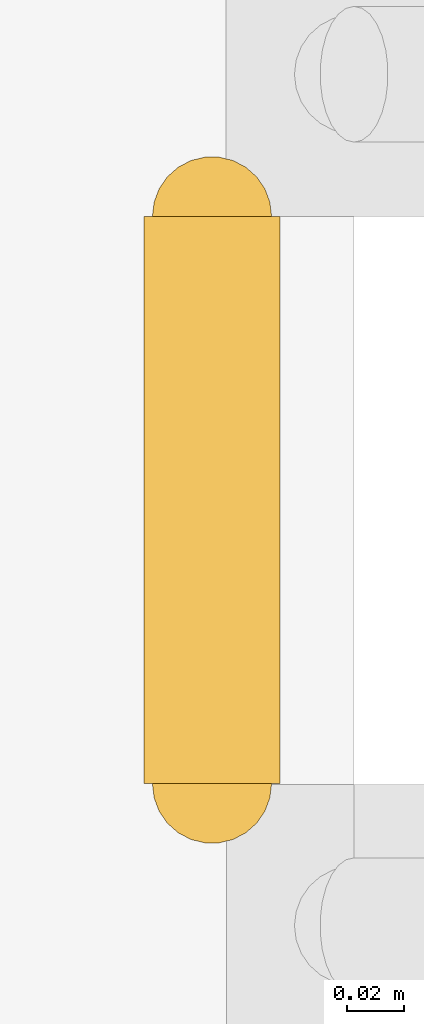
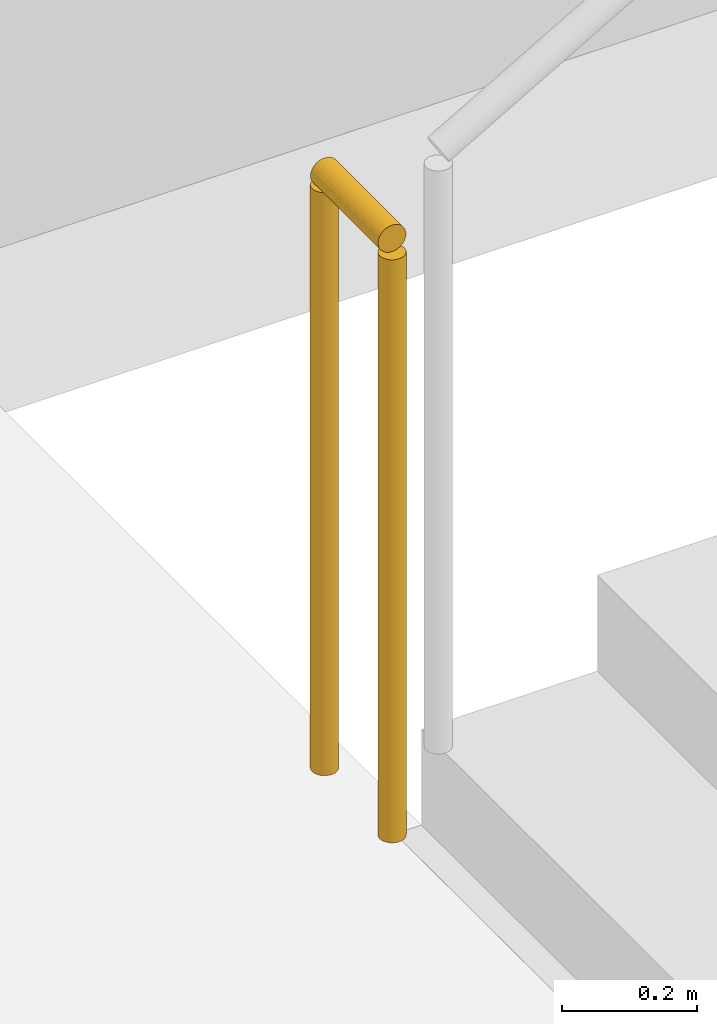
# One storey, part 156 of 164: 1 railing.
"""IFC4 building model written with IfcOpenShell, lengths in metres."""

from ifc_helpers import new_model, si_unit, direction, frame, origin, origin_2d, place, context, subcontext, project, spatial, circle, extrude, material, type_object, element, save


model = new_model("IFC4")

# Units and contexts
model_context = context("Model", 3, precision=1e-05, world=origin(), true_north=direction((0.0, 1.0)))
body_context = subcontext(model_context, "Body", "Model", "MODEL_VIEW")
ifc_project = project(units=[si_unit("LENGTHUNIT", "METRE"), si_unit("AREAUNIT", "SQUARE_METRE"), si_unit("VOLUMEUNIT", "CUBIC_METRE"), si_unit("PLANEANGLEUNIT", "RADIAN"), si_unit("MASSUNIT", "GRAM", prefix="KILO")], contexts=[model_context])

# Site, building, storey
site_placement = place(None, origin())
site = spatial("IfcSite", under=ifc_project, at=site_placement, CompositionType="ELEMENT")
building_placement = place(site_placement, origin())
building = spatial("IfcBuilding", under=site, at=building_placement, Name="Mawjan Specialist Oncology Clinic", CompositionType="ELEMENT")
storey_placement = place(building_placement, frame((0.0, 0.0, 5.0)))
storey = spatial("IfcBuildingStorey", under=building, at=storey_placement, Name="L01", CompositionType="ELEMENT", Elevation=5.0)

# Railing
ifc_material = material(Name="Powder-coated steel stair guard with vertical infill pickets", Category="steel")
railing_type = type_object("IfcRailingType", Name="GR-110", PredefinedType="GUARDRAIL", material=ifc_material)
railing_placement = place(storey_placement, frame((63.550048828125, 63.60009765625, 0.0)))
element("IfcRailing", 1, at=railing_placement, inside=storey, type_object=railing_type, Name="L01 ST-07 stair guard 4", PredefinedType="GUARDRAIL", context=body_context, shape_type="SweptSolid", body=[
    extrude(circle(Radius=0.02392578125, at=origin_2d()), frame((0.0, 0.0, 1.076171875), z_axis=(0.0, 1.0, 0.0), x_axis=(-1.0, 0.0, 0.0)), (0.0, 0.0, 1.0), 0.199951171875),
    extrude(circle(Radius=0.02099609375, at=origin_2d()), origin(), (0.0, 0.0, 1.0), 1.052001953125),
    extrude(circle(Radius=0.02099609375, at=origin_2d()), frame((0.0, 0.199951171875, 0.0)), (0.0, 0.0, 1.0), 1.052001953125),
])

save(model, "model.ifc")
